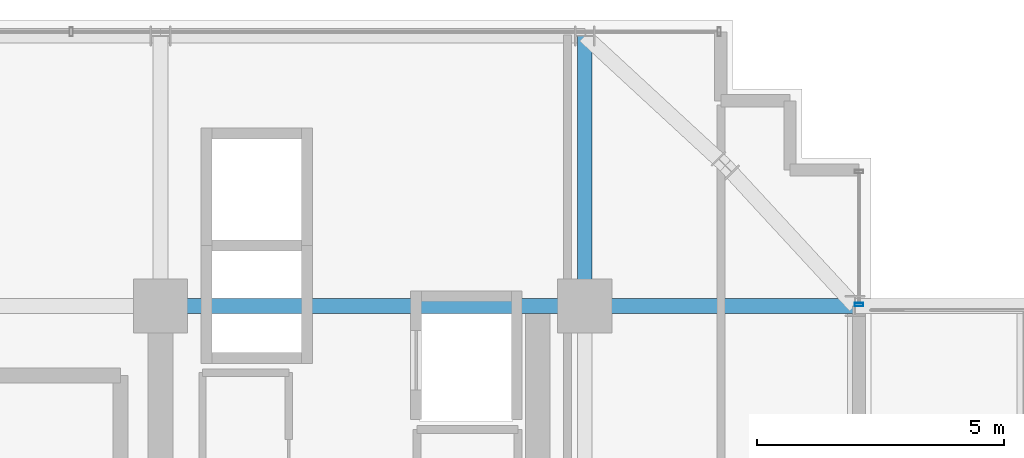
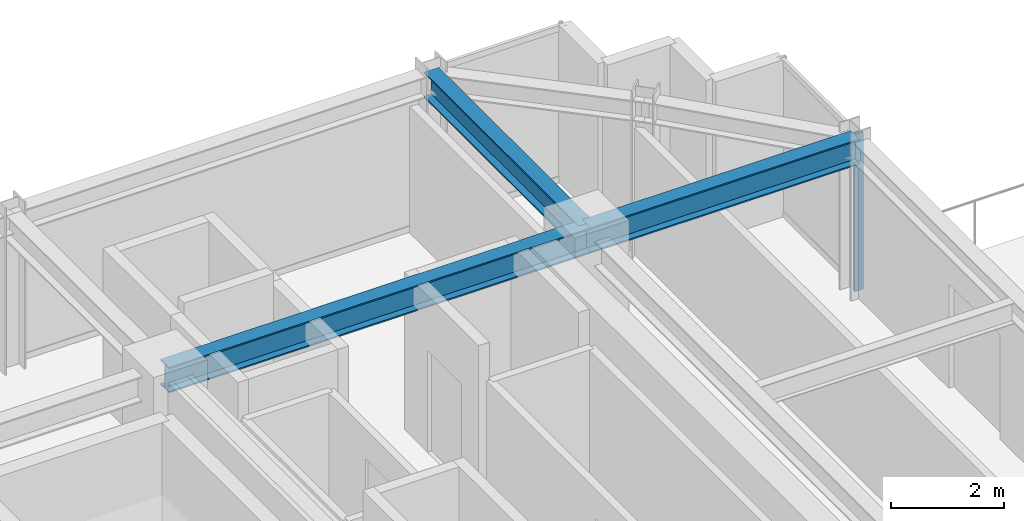
# One storey, part 21 of 31: 3 beams, 1 member, 1 element without a shape of its own.
"""IFC4 building model written with IfcOpenShell, lengths in metres."""

from ifc_helpers import new_model, si_unit, direction, frame, origin, origin_2d, place, context, subcontext, project, spatial, hollow_rectangle, i_section, extrude, source, transform, mapped, material, material_profile, profile_set, type_object, element, aggregate, save


model = new_model("IFC4")

# Units and contexts
model_context = context("Model", 3, precision=1e-05, world=origin(), true_north=direction((0.0, 1.0)))
body_context = subcontext(model_context, "Body", "Model", "MODEL_VIEW")
ifc_project = project(units=[si_unit("LENGTHUNIT", "METRE"), si_unit("AREAUNIT", "SQUARE_METRE"), si_unit("VOLUMEUNIT", "CUBIC_METRE"), si_unit("PLANEANGLEUNIT", "RADIAN"), si_unit("MASSUNIT", "GRAM", prefix="KILO")], contexts=[model_context])

# Site, building, storey
site_placement = place(None, origin())
site = spatial("IfcSite", under=ifc_project, at=site_placement, CompositionType="ELEMENT")
building_placement = place(site_placement, origin())
building = spatial("IfcBuilding", under=site, at=building_placement, Name="Nahalor Promenade Grand Hotel", CompositionType="ELEMENT")
storey_placement = place(building_placement, frame((0.0, 0.0, 192.800048828125)))
storey = spatial("IfcBuildingStorey", under=building, at=storey_placement, Name="L49", CompositionType="ELEMENT", Elevation=192.800048828125)

# Beams
ifc_material_1 = material(Name="Steel S355JR", Category="steel")
ifc_material_profile_1 = material_profile(ifc_material_1, i_section(OverallWidth=0.3, OverallDepth=0.55, WebThickness=0.015, FlangeThickness=0.029, at=origin_2d()), Name="HEB 550")
ifc_profile_set_1 = profile_set([ifc_material_profile_1], Name="Steel S355JR")
beam_type = type_object("IfcBeamType", Name="Beam-Girder-HEB550", PredefinedType="BEAM", material=ifc_profile_set_1)
shared_shape_1 = source(origin(), body_context, "Body", "SweptSolid", [
    extrude(i_section(OverallWidth=0.3, OverallDepth=0.55, WebThickness=0.015, FlangeThickness=0.029, at=origin_2d()), origin(), (0.0, 0.0, 1.0), 8.60009765625),
])
beam_placement = place(storey_placement, frame((8.39990234375, 17.0, 3.114990234375), z_axis=(1.0, 0.0, 0.0), x_axis=(0.0, 1.0, 0.0)))
element("IfcBeam", 1, at=beam_placement, inside=storey, type_object=beam_type, Name="BM-L49-GX-3-5", PredefinedType="BEAM", context=body_context, shape_type="MappedRepresentation", body=[
    mapped(shared_shape_1, transform((0.0, 0.0, 0.0), scale=1.0)),
])
shared_shape_2 = source(origin(), body_context, "Body", "SweptSolid", [
    extrude(i_section(OverallWidth=0.3, OverallDepth=0.55, WebThickness=0.015, FlangeThickness=0.029, at=origin_2d()), origin(), (0.0, 0.0, 1.0), 5.47998046875),
])
for number, where, z_axis, x_axis, name in (
    (2, (17.0, 17.0, 3.114990234375), (1.0, 0.0, 0.0), (0.0, 1.0, 0.0), "BM-L49-GX-3-6"),
    (3, (17.0, 17.0, 3.114990234375), (0.0, 1.0, 0.0), (-1.0, 0.0, 0.0), "BM-L49-GY-5-4"),
):
    element("IfcBeam", number, at=place(storey_placement, frame(where, z_axis=z_axis, x_axis=x_axis)), inside=storey, type_object=beam_type, Name=name, PredefinedType="BEAM", context=body_context, shape_type="MappedRepresentation", body=[
        mapped(shared_shape_2, transform((0.0, 0.0, 0.0), scale=1.0)),
    ])

# Curtain wall, member
ifc_material_2 = material(Name="Anodised Bronze Aluminium EN AW-6063 T6", Category="aluminium")
curtain_wall_type = type_object("IfcCurtainWallType", Name="CW2 Typical Hotel Flush Bronze Unitised Curtain Wall", PredefinedType="USERDEFINED", material=ifc_material_2)
curtain_wall_placement = place(storey_placement, origin())
curtain_wall = element("IfcCurtainWall", 4, at=curtain_wall_placement, inside=storey, type_object=curtain_wall_type, Name="L49 Curtain Wall CW-L49-E-3", ObjectType="UNITISED_CURTAIN_WALL", PredefinedType="USERDEFINED")
ifc_material_profile_2 = material_profile(ifc_material_2, hollow_rectangle(XDim=0.065, YDim=0.18, WallThickness=0.004, at=origin_2d()), Name="CWM 65x180x4")
ifc_profile_set_2 = profile_set([ifc_material_profile_2], Name="Anodised Bronze Aluminium EN AW-6063 T6")
member_type = type_object("IfcMemberType", Name="CWM2 Typical Bronze Mullion 65x180", PredefinedType="MULLION", material=ifc_profile_set_2)
shared_shape_3 = source(origin(), body_context, "Body", "SweptSolid", [
    extrude(hollow_rectangle(XDim=0.065, YDim=0.18, WallThickness=0.004, at=origin_2d()), origin(), (0.0, 0.0, 1.0), 3.389892578125),
])
member_placement = place(storey_placement, frame((22.56005859375, 17.032470703125, 0.0), z_axis=(0.0, 0.0, 1.0), x_axis=(0.0, 1.0, 0.0)))
member = element("IfcMember", 5, at=member_placement, type_object=member_type, Name="CW-L49-E-3 Mullion 0", PredefinedType="MULLION", context=body_context, shape_type="MappedRepresentation", body=[
    mapped(shared_shape_3, transform((0.0, 0.0, 0.0), scale=1.0)),
])
aggregate(curtain_wall, [member])

save(model, "model.ifc")
